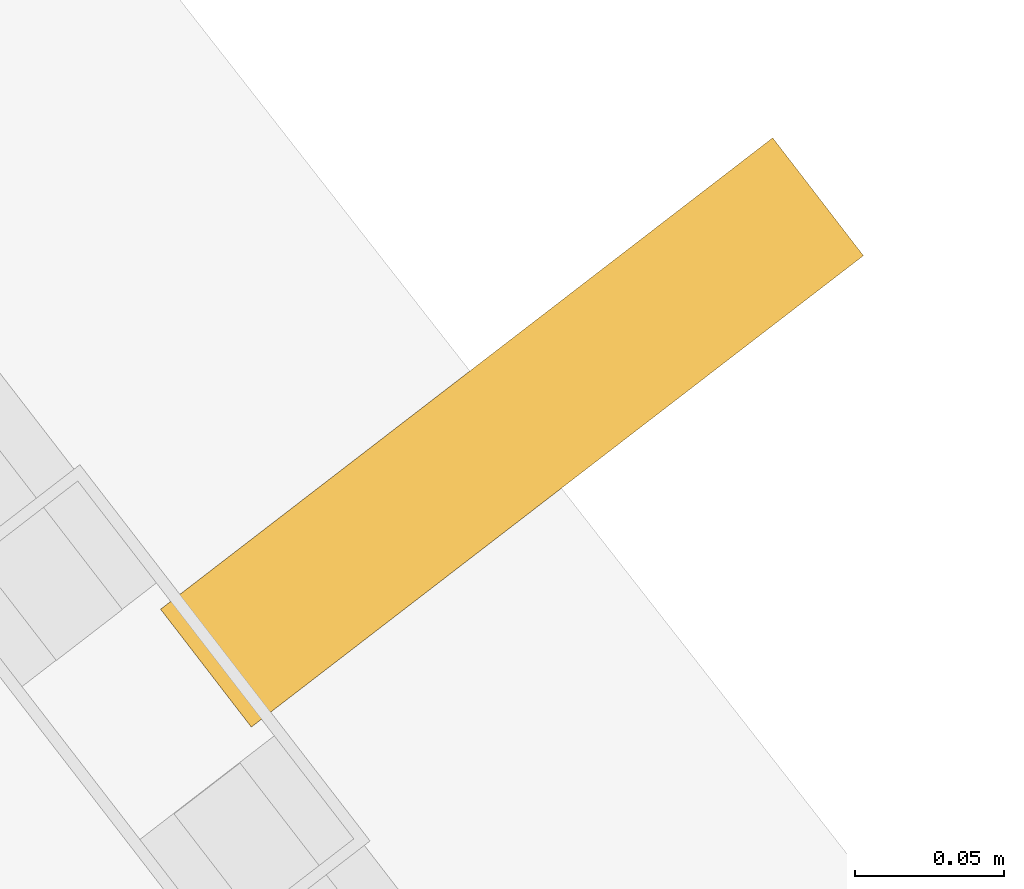
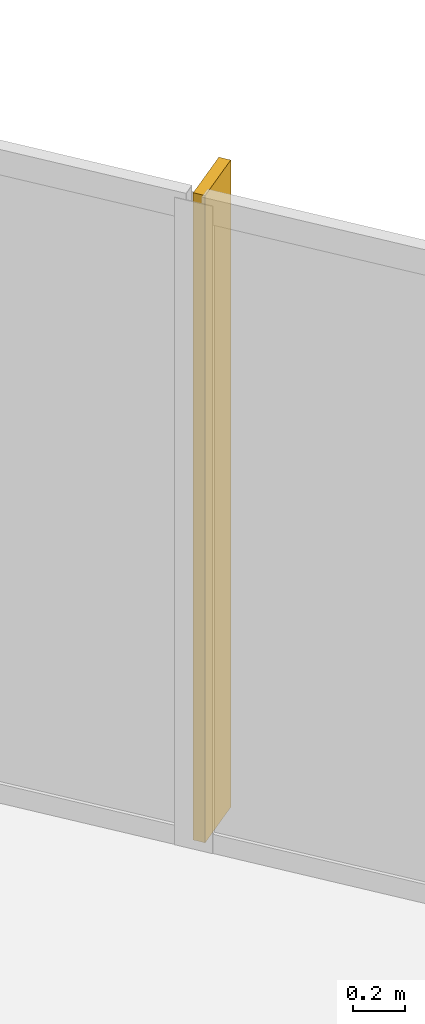
# One storey, part 30 of 30: 1 shading device.
"""IFC4 building model written with IfcOpenShell, lengths in metres."""

from ifc_helpers import new_model, si_unit, direction, frame, origin, origin_2d, place, context, subcontext, project, spatial, rectangle, extrude, material, layer, layer_set, type_object, element, save


model = new_model("IFC4")

# Units and contexts
model_context = context("Model", 3, precision=1e-05, world=origin(), true_north=direction((0.0, 1.0)))
body_context = subcontext(model_context, "Body", "Model", "MODEL_VIEW")
ifc_project = project(units=[si_unit("LENGTHUNIT", "METRE"), si_unit("AREAUNIT", "SQUARE_METRE"), si_unit("VOLUMEUNIT", "CUBIC_METRE"), si_unit("PLANEANGLEUNIT", "RADIAN"), si_unit("MASSUNIT", "GRAM", prefix="KILO")], contexts=[model_context])

# Site, building, storey
site_placement = place(None, origin())
site = spatial("IfcSite", under=ifc_project, at=site_placement, CompositionType="ELEMENT")
building_placement = place(site_placement, origin())
building = spatial("IfcBuilding", under=site, at=building_placement, Name="Orvanel Arch Residences", CompositionType="ELEMENT")
storey_placement = place(building_placement, frame((0.0, 0.0, 229.39990234375)))
storey = spatial("IfcBuildingStorey", under=building, at=storey_placement, Name="L65", CompositionType="ELEMENT", Elevation=229.39990234375)

# Shading device
ifc_material = material(Name="Bronze-anodised aluminium AA6063-T6", Category="aluminium")
ifc_layer = layer(ifc_material, 0.050048828125)
ifc_layer_set = layer_set([ifc_layer], Name="Bronze-anodised aluminium AA6063-T6")
shading_device_type = type_object("IfcShadingDeviceType", Name="FIN-BRZ-260", PredefinedType="USERDEFINED", material=ifc_layer_set)
shading_device_placement = place(storey_placement, frame((40.02587890625, 38.865966796875, 0.0), z_axis=(0.0, 0.0, 1.0), x_axis=(0.792289643355, 0.610145163901, 0.0)))
element("IfcShadingDevice", 1, at=shading_device_placement, inside=storey, type_object=shading_device_type, Name="L65 Anodised Bronze Mullion FIN 01", ObjectType="FIN", PredefinedType="USERDEFINED", context=body_context, shape_type="SweptSolid", body=[
    extrude(rectangle(XDim=0.260009765625, YDim=0.050048828125, at=origin_2d()), origin(), (0.0, 0.0, 1.0), 3.06005859375),
])

save(model, "model.ifc")
